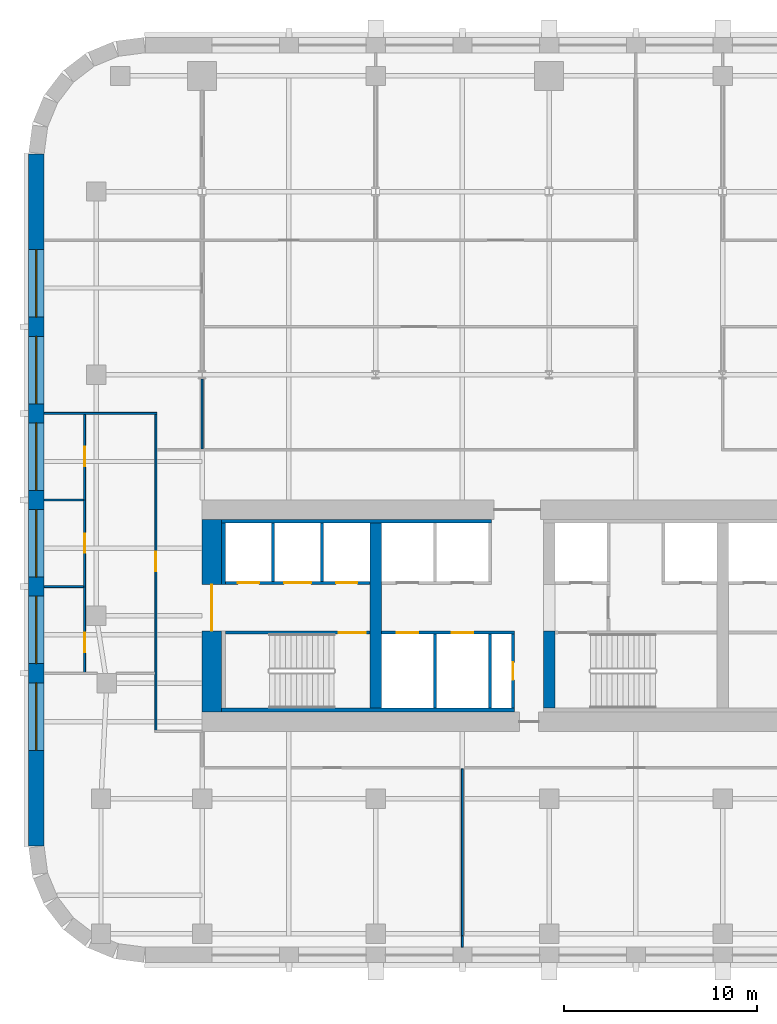
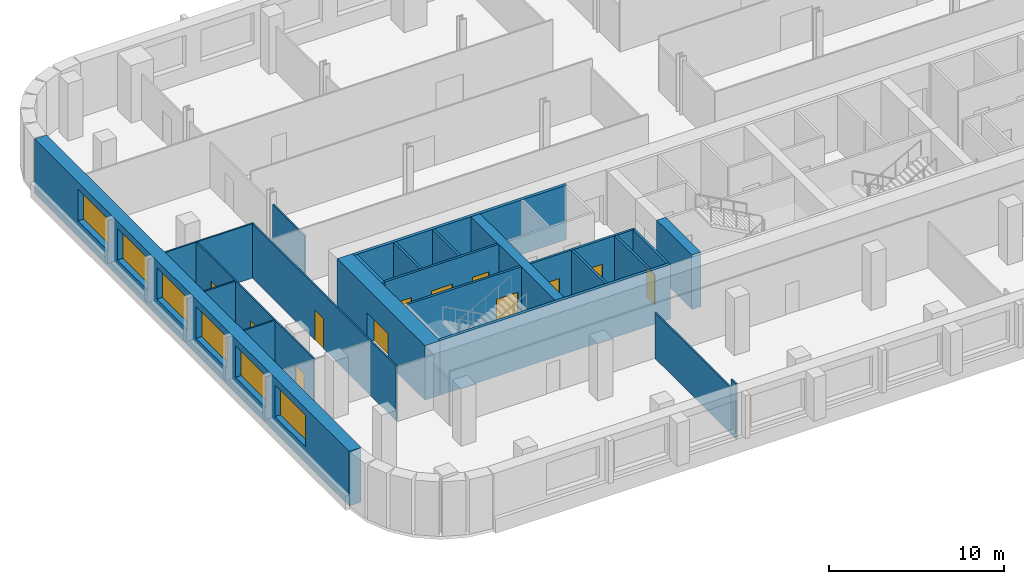
# One storey, part 3 of 10: 23 walls, 12 doors, 6 windows, 18 openings.
"""IFC4 building model written with IfcOpenShell, lengths in metres."""

from ifc_helpers import new_model, si_unit, direction, frame, frame_2d, origin, place, context, subcontext, project, spatial, rectangle, extrude, material, layer, layer_set, type_object, element, fill, save


model = new_model("IFC4")

# Units and contexts
model_context = context("Model", 3, precision=1e-05, world=origin(), true_north=direction((0.0, 1.0)))
body_context = subcontext(model_context, "Body", "Model", "MODEL_VIEW")
ifc_project = project(units=[si_unit("LENGTHUNIT", "METRE"), si_unit("AREAUNIT", "SQUARE_METRE"), si_unit("VOLUMEUNIT", "CUBIC_METRE"), si_unit("PLANEANGLEUNIT", "RADIAN"), si_unit("MASSUNIT", "GRAM", prefix="KILO")], contexts=[model_context])

# Site, building, storey
site_placement = place(None, origin())
site = spatial("IfcSite", under=ifc_project, at=site_placement, CompositionType="ELEMENT")
building_placement = place(site_placement, origin())
building = spatial("IfcBuilding", under=site, at=building_placement, Name="Zellij Exchange Tower", CompositionType="ELEMENT")
storey_placement = place(building_placement, frame((0.0, 0.0, 128.5)))
storey = spatial("IfcBuildingStorey", under=building, at=storey_placement, Name="L28", CompositionType="ELEMENT", Elevation=128.5)

# Walls
ifc_material_1 = material(Name="Concrete C70/85", Category="concrete")
ifc_layer_1 = layer(ifc_material_1, 0.60009765625)
ifc_layer_set_1 = layer_set([ifc_layer_1], Name="Concrete C70/85")
wall_type_1 = type_object("IfcWallType", Name="CORE-CW 600 C70/85", PredefinedType="SHEAR", material=ifc_layer_set_1)
wall_1_placement = place(storey_placement, frame((-18.0, -12.800048828125, 0.0), z_axis=(0.0, 0.0, 1.0), x_axis=(0.0, 1.0, 0.0)))
element("IfcWall", 1, at=wall_1_placement, inside=storey, type_object=wall_type_1, Name="Core cross wall x -18 L28", PredefinedType="SHEAR", context=body_context, shape_type="SweptSolid", body=[
    extrude(rectangle(XDim=9.60009765625, YDim=0.60009765625, at=frame_2d((4.800048828125, 0.0))), origin(), (0.0, 0.0, 1.0), 3.800048828125),
])
wall_2_placement = place(storey_placement, frame((-9.0, -12.800048828125, 0.0), z_axis=(0.0, 0.0, 1.0), x_axis=(0.0, 1.0, 0.0)))
element("IfcWall", 2, at=wall_2_placement, inside=storey, type_object=wall_type_1, Name="Core cross wall pier x -9 a L28", PredefinedType="SHEAR", context=body_context, shape_type="SweptSolid", body=[
    extrude(rectangle(XDim=4.0, YDim=0.60009765625, at=frame_2d((2.0, 0.0))), origin(), (0.0, 0.0, 1.0), 3.800048828125),
])
ifc_material_2 = material(Name="Concrete C30/37", Category="concrete")
ifc_layer_2 = layer(ifc_material_2, 0.199951171875)
ifc_layer_set_2 = layer_set([ifc_layer_2], Name="Concrete C30/37")
wall_type_2 = type_object("IfcWallType", Name="CORE-LW 200 C30/37", PredefinedType="SHEAR", material=ifc_layer_set_2)
wall_3_placement = place(storey_placement, frame((-26.0, -3.10009765625, 0.0), z_axis=(0.0, 0.0, 1.0), x_axis=(1.0, 0.0, 0.0)))
element("IfcWall", 3, at=wall_3_placement, inside=storey, type_object=wall_type_2, Name="Core wall lining front.0 L28", PredefinedType="SHEAR", context=body_context, shape_type="SweptSolid", body=[
    extrude(rectangle(XDim=14.0, YDim=0.199951171875, at=frame_2d((7.0, 0.0))), origin(), (0.0, 0.0, 1.0), 3.800048828125),
])
wall_4_placement = place(storey_placement, frame((-26.0, -12.89990234375, 0.0), z_axis=(0.0, 0.0, 1.0), x_axis=(1.0, 0.0, 0.0)))
element("IfcWall", 4, at=wall_4_placement, inside=storey, type_object=wall_type_2, Name="Core wall lining rear.0 L28", PredefinedType="SHEAR", context=body_context, shape_type="SweptSolid", body=[
    extrude(rectangle(XDim=15.199951171875, YDim=0.199951171875, at=frame_2d((7.60009765625, 0.0))), origin(), (0.0, 0.0, 1.0), 3.800048828125),
])
wall_5_placement = place(storey_placement, frame((-25.89990234375, -6.375, 0.0), z_axis=(0.0, 0.0, 1.0), x_axis=(0.0, 1.0, 0.0)))
element("IfcWall", 5, at=wall_5_placement, inside=storey, type_object=wall_type_2, Name="Core wall lining end w.1 L28", PredefinedType="SHEAR", context=body_context, shape_type="SweptSolid", body=[
    extrude(rectangle(XDim=3.175048828125, YDim=0.199951171875, at=frame_2d((1.58740234375, 0.0))), origin(), (0.0, 0.0, 1.0), 3.800048828125),
])

# Wall, opening, door
ifc_material_3 = material(Name="Gypsum board partition")
ifc_layer_3 = layer(ifc_material_3, 0.14990234375)
ifc_layer_set_3 = layer_set([ifc_layer_3], Name="Gypsum board partition")
wall_type_3 = type_object("IfcWallType", Name="CORE-PW 150 Lift lobby wall", PredefinedType="PARTITIONING", material=ifc_layer_set_3)
wall_6_placement = place(storey_placement, frame((-10.875, -12.800048828125, 0.0), z_axis=(0.0, 0.0, 1.0), x_axis=(0.0, 1.0, 0.0)))
wall_6 = element("IfcWall", 6, at=wall_6_placement, inside=storey, type_object=wall_type_3, Name="Lift lobby wall L28", PredefinedType="PARTITIONING", context=body_context, shape_type="SweptSolid", body=[
    extrude(rectangle(XDim=3.85009765625, YDim=0.14990234375, at=frame_2d((1.925048828125, 0.0))), origin(), (0.0, 0.0, 1.0), 3.800048828125),
])
opening_1_placement = place(wall_6_placement, frame((1.47509765625, 0.0, 0.0)))
opening_1 = element("IfcOpeningElement", 7, at=opening_1_placement, cuts=wall_6, Name="Opening CA-15.10", PredefinedType="OPENING", context=body_context, shape_type="SweptSolid", body=[
    extrude(rectangle(XDim=0.89990234375, YDim=2.10009765625, at=frame_2d((0.449951171875, 1.050048828125))), frame((0.0, 0.0869140625, 0.0), z_axis=(0.0, -1.0, 0.0), x_axis=(1.0, 0.0, 0.0)), (0.0, 0.0, 1.0), 0.173828125),
])
ifc_material_4 = material(Name="Hollow metal fire door")
door_type_1 = type_object("IfcDoorType", Name="CORE-D RD Riser door 900x2100 1.5 HR", OperationType="NOTDEFINED", PredefinedType="DOOR", material=ifc_material_4)
door_1_placement = place(opening_1_placement, origin())
door_1 = element("IfcDoor", 8, at=door_1_placement, inside=storey, type_object=door_type_1, Name="Riser door CA-15.10", OperationType="SINGLE_SWING_RIGHT", OverallHeight=2.10009765625, OverallWidth=0.89990234375, PredefinedType="DOOR", context=body_context, shape_type="SweptSolid", body=[
    extrude(rectangle(XDim=0.89990234375, YDim=2.10009765625, at=frame_2d((0.449951171875, 1.050048828125))), frame((0.0, 0.02490234375, 0.0), z_axis=(0.0, -1.0, 0.0), x_axis=(1.0, 0.0, 0.0)), (0.0, 0.0, 1.0), 0.050048828125),
])
fill(opening_1, door_1)

# Walls
ifc_material_5 = material(Name="Gypsum shaft wall system")
ifc_layer_4 = layer(ifc_material_5, 0.14990234375)
ifc_layer_set_4 = layer_set([ifc_layer_4], Name="Gypsum shaft wall system")
wall_type_4 = type_object("IfcWallType", Name="CORE-PW 150 Lift shaft wall", PredefinedType="PARTITIONING", material=ifc_layer_set_4)
for number, where, z_axis, x_axis, name in (
    (9, (-20.77490234375, -6.22509765625, 0.0), (0.0, 0.0, 1.0), (0.0, 1.0, 0.0), "Lift shaft wall L28"),
    (10, (-23.324951171875, -6.22509765625, 0.0), (0.0, 0.0, 1.0), (0.0, 1.0, 0.0), "Lift shaft wall L28"),
):
    element("IfcWall", number, at=place(storey_placement, frame(where, z_axis=z_axis, x_axis=x_axis)), inside=storey, type_object=wall_type_4, Name=name, PredefinedType="PARTITIONING", context=body_context, shape_type="SweptSolid", body=[
        extrude(rectangle(XDim=3.025146484375, YDim=0.14990234375, at=frame_2d((1.5126953125, 0.0))), origin(), (0.0, 0.0, 1.0), 3.800048828125),
    ])
for number, where, z_axis, x_axis, name in (
    (11, (-12.074951171875, -12.800048828125, 0.0), (0.0, 0.0, 1.0), (0.0, 1.0, 0.0), "Lift shaft wall L28"),
    (12, (-14.925048828125, -12.800048828125, 0.0), (0.0, 0.0, 1.0), (0.0, 1.0, 0.0), "Lift shaft wall L28"),
):
    element("IfcWall", number, at=place(storey_placement, frame(where, z_axis=z_axis, x_axis=x_axis)), inside=storey, type_object=wall_type_4, Name=name, PredefinedType="PARTITIONING", context=body_context, shape_type="SweptSolid", body=[
        extrude(rectangle(XDim=3.85009765625, YDim=0.14990234375, at=frame_2d((1.925048828125, 0.0))), origin(), (0.0, 0.0, 1.0), 3.800048828125),
    ])

# Wall, openings, doors
wall_7_placement = place(storey_placement, frame((-25.800048828125, -6.300048828125, 0.0), z_axis=(0.0, 0.0, 1.0), x_axis=(1.0, 0.0, 0.0)))
wall_7 = element("IfcWall", 13, at=wall_7_placement, inside=storey, type_object=wall_type_4, Name="Lift shaft wall L28", PredefinedType="PARTITIONING", context=body_context, shape_type="SweptSolid", body=[
    extrude(rectangle(XDim=7.5, YDim=0.14990234375, at=frame_2d((3.75, 0.0))), origin(), (0.0, 0.0, 1.0), 3.800048828125),
])
opening_2_placement = place(wall_7_placement, frame((0.64990234375, 0.0, 0.0)))
opening_2 = element("IfcOpeningElement", 14, at=opening_2_placement, cuts=wall_7, Name="Opening CA-15.02", PredefinedType="OPENING", context=body_context, shape_type="SweptSolid", body=[
    extrude(rectangle(XDim=1.10009765625, YDim=2.10009765625, at=frame_2d((0.550048828125, 1.050048828125))), frame((0.0, 0.0869140625, 0.0), z_axis=(0.0, -1.0, 0.0), x_axis=(1.0, 0.0, 0.0)), (0.0, 0.0, 1.0), 0.173828125),
])
opening_3_placement = place(wall_7_placement, frame((3.050048828125, 0.0, 0.0)))
opening_3 = element("IfcOpeningElement", 15, at=opening_3_placement, cuts=wall_7, Name="Opening CA-15.03", PredefinedType="OPENING", context=body_context, shape_type="SweptSolid", body=[
    extrude(rectangle(XDim=1.39990234375, YDim=2.10009765625, at=frame_2d((0.699951171875, 1.050048828125))), frame((0.0, 0.0869140625, 0.0), z_axis=(0.0, -1.0, 0.0), x_axis=(1.0, 0.0, 0.0)), (0.0, 0.0, 1.0), 0.173828125),
])
opening_4_placement = place(wall_7_placement, frame((5.75, 0.0, 0.0)))
opening_4 = element("IfcOpeningElement", 16, at=opening_4_placement, cuts=wall_7, Name="Opening CA-15.04", PredefinedType="OPENING", context=body_context, shape_type="SweptSolid", body=[
    extrude(rectangle(XDim=1.10009765625, YDim=2.10009765625, at=frame_2d((0.550048828125, 1.050048828125))), frame((0.0, 0.0869140625, 0.0), z_axis=(0.0, -1.0, 0.0), x_axis=(1.0, 0.0, 0.0)), (0.0, 0.0, 1.0), 0.173828125),
])
door_type_2 = type_object("IfcDoorType", Name="CORE-D LD Lift landing door 1100x2100 1.5 HR", OperationType="NOTDEFINED", PredefinedType="DOOR", material=ifc_material_4)
door_2_placement = place(opening_2_placement, origin())
door_2 = element("IfcDoor", 17, at=door_2_placement, inside=storey, type_object=door_type_2, Name="Lift landing door CA-15.02", OperationType="SLIDING_TO_RIGHT", OverallHeight=2.10009765625, OverallWidth=1.10009765625, PredefinedType="DOOR", context=body_context, shape_type="SweptSolid", body=[
    extrude(rectangle(XDim=1.10009765625, YDim=2.10009765625, at=frame_2d((0.550048828125, 1.050048828125))), frame((0.0, 0.02490234375, 0.0), z_axis=(0.0, -1.0, 0.0), x_axis=(1.0, 0.0, 0.0)), (0.0, 0.0, 1.0), 0.050048828125),
])
fill(opening_2, door_2)
door_3_placement = place(opening_4_placement, origin())
door_3 = element("IfcDoor", 18, at=door_3_placement, inside=storey, type_object=door_type_2, Name="Lift landing door CA-15.04", OperationType="SLIDING_TO_RIGHT", OverallHeight=2.10009765625, OverallWidth=1.10009765625, PredefinedType="DOOR", context=body_context, shape_type="SweptSolid", body=[
    extrude(rectangle(XDim=1.10009765625, YDim=2.10009765625, at=frame_2d((0.550048828125, 1.050048828125))), frame((0.0, 0.02490234375, 0.0), z_axis=(0.0, -1.0, 0.0), x_axis=(1.0, 0.0, 0.0)), (0.0, 0.0, 1.0), 0.050048828125),
])
fill(opening_4, door_3)
door_type_3 = type_object("IfcDoorType", Name="CORE-D LD2 Service lift landing door 1400x2100 1.5 HR", OperationType="NOTDEFINED", PredefinedType="DOOR", material=ifc_material_4)
door_4_placement = place(opening_3_placement, origin())
door_4 = element("IfcDoor", 19, at=door_4_placement, inside=storey, type_object=door_type_3, Name="Service lift landing door CA-15.03", OperationType="SLIDING_TO_LEFT", OverallHeight=2.10009765625, OverallWidth=1.39990234375, PredefinedType="DOOR", context=body_context, shape_type="SweptSolid", body=[
    extrude(rectangle(XDim=1.39990234375, YDim=2.10009765625, at=frame_2d((0.699951171875, 1.050048828125))), frame((0.0, 0.02490234375, 0.0), z_axis=(0.0, -1.0, 0.0), x_axis=(1.0, 0.0, 0.0)), (0.0, 0.0, 1.0), 0.050048828125),
])
fill(opening_3, door_4)

wall_8_placement = place(storey_placement, frame((-17.699951171875, -8.875, 0.0), z_axis=(0.0, 0.0, 1.0), x_axis=(1.0, 0.0, 0.0)))
wall_8 = element("IfcWall", 20, at=wall_8_placement, inside=storey, type_object=wall_type_4, Name="Lift shaft wall L28", PredefinedType="PARTITIONING", context=body_context, shape_type="SweptSolid", body=[
    extrude(rectangle(XDim=6.89990234375, YDim=0.14990234375, at=frame_2d((3.449951171875, 0.0))), origin(), (0.0, 0.0, 1.0), 3.800048828125),
])
opening_5_placement = place(wall_8_placement, frame((0.800048828125, 0.0, 0.0)))
opening_5 = element("IfcOpeningElement", 21, at=opening_5_placement, cuts=wall_8, Name="Opening CA-15.06", PredefinedType="OPENING", context=body_context, shape_type="SweptSolid", body=[
    extrude(rectangle(XDim=1.10009765625, YDim=2.10009765625, at=frame_2d((0.550048828125, 1.050048828125))), frame((0.0, 0.0869140625, 0.0), z_axis=(0.0, -1.0, 0.0), x_axis=(1.0, 0.0, 0.0)), (0.0, 0.0, 1.0), 0.173828125),
])
opening_6_placement = place(wall_8_placement, frame((3.64990234375, 0.0, 0.0)))
opening_6 = element("IfcOpeningElement", 22, at=opening_6_placement, cuts=wall_8, Name="Opening CA-15.08", PredefinedType="OPENING", context=body_context, shape_type="SweptSolid", body=[
    extrude(rectangle(XDim=1.10009765625, YDim=2.10009765625, at=frame_2d((0.550048828125, 1.050048828125))), frame((0.0, 0.0869140625, 0.0), z_axis=(0.0, -1.0, 0.0), x_axis=(1.0, 0.0, 0.0)), (0.0, 0.0, 1.0), 0.173828125),
])
door_5_placement = place(opening_5_placement, origin())
door_5 = element("IfcDoor", 23, at=door_5_placement, inside=storey, type_object=door_type_2, Name="Lift landing door CA-15.06", OperationType="SLIDING_TO_RIGHT", OverallHeight=2.10009765625, OverallWidth=1.10009765625, PredefinedType="DOOR", context=body_context, shape_type="SweptSolid", body=[
    extrude(rectangle(XDim=1.10009765625, YDim=2.10009765625, at=frame_2d((0.550048828125, 1.050048828125))), frame((0.0, 0.02490234375, 0.0), z_axis=(0.0, -1.0, 0.0), x_axis=(1.0, 0.0, 0.0)), (0.0, 0.0, 1.0), 0.050048828125),
])
fill(opening_5, door_5)
door_6_placement = place(opening_6_placement, origin())
door_6 = element("IfcDoor", 24, at=door_6_placement, inside=storey, type_object=door_type_2, Name="Lift landing door CA-15.08", OperationType="SLIDING_TO_RIGHT", OverallHeight=2.10009765625, OverallWidth=1.10009765625, PredefinedType="DOOR", context=body_context, shape_type="SweptSolid", body=[
    extrude(rectangle(XDim=1.10009765625, YDim=2.10009765625, at=frame_2d((0.550048828125, 1.050048828125))), frame((0.0, 0.02490234375, 0.0), z_axis=(0.0, -1.0, 0.0), x_axis=(1.0, 0.0, 0.0)), (0.0, 0.0, 1.0), 0.050048828125),
])
fill(opening_6, door_6)

# Wall, opening, door
ifc_layer_5 = layer(ifc_material_1, 1.0)
ifc_layer_set_5 = layer_set([ifc_layer_5], Name="Concrete C70/85")
wall_type_5 = type_object("IfcWallType", Name="CORE-SW 1000 C70/85", PredefinedType="SHEAR", material=ifc_layer_set_5)
wall_9_placement = place(storey_placement, frame((-26.5, -13.0, 0.0), z_axis=(0.0, 0.0, 1.0), x_axis=(0.0, 1.0, 0.0)))
wall_9 = element("IfcWall", 25, at=wall_9_placement, inside=storey, type_object=wall_type_5, Name="Core shear wall end w L28", PredefinedType="SHEAR", context=body_context, shape_type="SweptSolid", body=[
    extrude(rectangle(XDim=10.0, YDim=1.0, at=frame_2d((5.0, 0.0))), origin(), (0.0, 0.0, 1.0), 3.800048828125),
])
opening_7_placement = place(wall_9_placement, frame((4.2119140625, 0.0, 0.0)))
opening_7 = element("IfcOpeningElement", 26, at=opening_7_placement, cuts=wall_9, Name="Opening CA-15.01", PredefinedType="OPENING", context=body_context, shape_type="SweptSolid", body=[
    extrude(rectangle(XDim=2.39990234375, YDim=2.10009765625, at=frame_2d((1.199951171875, 1.050048828125))), frame((0.0, 0.511962890625, 0.0), z_axis=(0.0, -1.0, 0.0), x_axis=(1.0, 0.0, 0.0)), (0.0, 0.0, 1.0), 1.02392578125),
])
door_type_4 = type_object("IfcDoorType", Name="CORE-D CE Core entrance door 2400x2100 20 MIN", OperationType="NOTDEFINED", PredefinedType="DOOR", material=ifc_material_4)
door_7_placement = place(opening_7_placement, origin())
door_7 = element("IfcDoor", 27, at=door_7_placement, inside=storey, type_object=door_type_4, Name="Core entrance door CA-15.01", OperationType="DOUBLE_DOOR_SINGLE_SWING", OverallHeight=2.10009765625, OverallWidth=2.39990234375, PredefinedType="DOOR", context=body_context, shape_type="SweptSolid", body=[
    extrude(rectangle(XDim=2.39990234375, YDim=2.10009765625, at=frame_2d((1.199951171875, 1.050048828125))), frame((0.0, 0.02490234375, 0.0), z_axis=(0.0, -1.0, 0.0), x_axis=(1.0, 0.0, 0.0)), (0.0, 0.0, 1.0), 0.050048828125),
])
fill(opening_7, door_7)

ifc_layer_6 = layer(ifc_material_1, 0.14990234375)
ifc_layer_set_6 = layer_set([ifc_layer_6], Name="Concrete C70/85")
wall_type_6 = type_object("IfcWallType", Name="CORE-SWS 150 C70/85", PredefinedType="SHEAR", material=ifc_layer_set_6)
wall_10_placement = place(storey_placement, frame((-25.800048828125, -8.875, 0.0), z_axis=(0.0, 0.0, 1.0), x_axis=(1.0, 0.0, 0.0)))
wall_10 = element("IfcWall", 28, at=wall_10_placement, inside=storey, type_object=wall_type_6, Name="Stair enclosure wall L28", PredefinedType="SHEAR", context=body_context, shape_type="SweptSolid", body=[
    extrude(rectangle(XDim=7.5, YDim=0.14990234375, at=frame_2d((3.75, 0.0))), origin(), (0.0, 0.0, 1.0), 3.800048828125),
])
opening_8_placement = place(wall_10_placement, frame((5.875, 0.0, 0.0)))
opening_8 = element("IfcOpeningElement", 29, at=opening_8_placement, cuts=wall_10, Name="Opening CA-15.05", PredefinedType="OPENING", context=body_context, shape_type="SweptSolid", body=[
    extrude(rectangle(XDim=1.39990234375, YDim=2.10009765625, at=frame_2d((0.699951171875, 1.050048828125))), frame((0.0, 0.0869140625, 0.0), z_axis=(0.0, -1.0, 0.0), x_axis=(1.0, 0.0, 0.0)), (0.0, 0.0, 1.0), 0.173828125),
])
door_type_5 = type_object("IfcDoorType", Name="CORE-D SD Stair door 1400x2100 1.5 HR", OperationType="NOTDEFINED", PredefinedType="DOOR", material=ifc_material_4)
door_8_placement = place(opening_8_placement, origin())
door_8 = element("IfcDoor", 30, at=door_8_placement, inside=storey, type_object=door_type_5, Name="Stair door CA-15.05", OperationType="DOUBLE_DOOR_SINGLE_SWING", OverallHeight=2.10009765625, OverallWidth=1.39990234375, PredefinedType="DOOR", context=body_context, shape_type="SweptSolid", body=[
    extrude(rectangle(XDim=1.39990234375, YDim=2.10009765625, at=frame_2d((0.699951171875, 1.050048828125))), frame((0.0, 0.02490234375, 0.0), z_axis=(0.0, -1.0, 0.0), x_axis=(1.0, 0.0, 0.0)), (0.0, 0.0, 1.0), 0.050048828125),
])
fill(opening_8, door_8)

# Wall, openings, windows
ifc_material_6 = material(Name="Precast concrete C40/50", Category="concrete")
ifc_layer_7 = layer(ifc_material_6, 0.800048828125)
ifc_layer_set_7 = layer_set([ifc_layer_7], Name="Precast concrete C40/50")
wall_type_7 = type_object("IfcWallType", Name="ENV-EW1 Precast stone-piered wall 800", PredefinedType="SOLIDWALL", material=ifc_layer_set_7)
wall_11_placement = place(storey_placement, frame((-35.60009765625, 15.947509765625, 0.0), z_axis=(0.0, 0.0, 1.0), x_axis=(0.0, -1.0, 0.0)))
wall_11 = element("IfcWall", 31, at=wall_11_placement, inside=storey, type_object=wall_type_7, Name="fac.L28.26", PredefinedType="SOLIDWALL", context=body_context, shape_type="SweptSolid", body=[
    extrude(rectangle(XDim=35.89501953125, YDim=0.800048828125, at=frame_2d((17.947509765625, 0.0))), origin(), (0.0, 0.0, 1.0), 3.800048828125),
])
opening_9_placement = place(wall_11_placement, frame((4.9638671875, 0.0, 1.10009765625)))
opening_9 = element("IfcOpeningElement", 32, at=opening_9_placement, cuts=wall_11, Name="Opening FZ2.31", PredefinedType="OPENING", context=body_context, shape_type="SweptSolid", body=[
    extrude(rectangle(XDim=3.5, YDim=2.199951171875, at=frame_2d((1.75, 1.10009765625))), frame((0.0, 0.412109375, 0.0), z_axis=(0.0, -1.0, 0.0), x_axis=(1.0, 0.0, 0.0)), (0.0, 0.0, 1.0), 0.823974609375),
])
opening_10_placement = place(wall_11_placement, frame((9.45751953125, 0.0, 1.10009765625)))
opening_10 = element("IfcOpeningElement", 33, at=opening_10_placement, cuts=wall_11, Name="Opening FZ2.32", PredefinedType="OPENING", context=body_context, shape_type="SweptSolid", body=[
    extrude(rectangle(XDim=3.5, YDim=2.199951171875, at=frame_2d((1.75, 1.10009765625))), frame((0.0, 0.412109375, 0.0), z_axis=(0.0, -1.0, 0.0), x_axis=(1.0, 0.0, 0.0)), (0.0, 0.0, 1.0), 0.823974609375),
])
opening_11_placement = place(wall_11_placement, frame((13.950927734375, 0.0, 1.10009765625)))
opening_11 = element("IfcOpeningElement", 34, at=opening_11_placement, cuts=wall_11, Name="Opening FZ2.33", PredefinedType="OPENING", context=body_context, shape_type="SweptSolid", body=[
    extrude(rectangle(XDim=3.5, YDim=2.199951171875, at=frame_2d((1.75, 1.10009765625))), frame((0.0, 0.412109375, 0.0), z_axis=(0.0, -1.0, 0.0), x_axis=(1.0, 0.0, 0.0)), (0.0, 0.0, 1.0), 0.823974609375),
])
opening_12_placement = place(wall_11_placement, frame((18.4443359375, 0.0, 1.10009765625)))
opening_12 = element("IfcOpeningElement", 35, at=opening_12_placement, cuts=wall_11, Name="Opening FZ2.34", PredefinedType="OPENING", context=body_context, shape_type="SweptSolid", body=[
    extrude(rectangle(XDim=3.5, YDim=2.199951171875, at=frame_2d((1.75, 1.10009765625))), frame((0.0, 0.412109375, 0.0), z_axis=(0.0, -1.0, 0.0), x_axis=(1.0, 0.0, 0.0)), (0.0, 0.0, 1.0), 0.823974609375),
])
opening_13_placement = place(wall_11_placement, frame((22.937744140625, 0.0, 1.10009765625)))
opening_13 = element("IfcOpeningElement", 36, at=opening_13_placement, cuts=wall_11, Name="Opening FZ2.35", PredefinedType="OPENING", context=body_context, shape_type="SweptSolid", body=[
    extrude(rectangle(XDim=3.5, YDim=2.199951171875, at=frame_2d((1.75, 1.10009765625))), frame((0.0, 0.412109375, 0.0), z_axis=(0.0, -1.0, 0.0), x_axis=(1.0, 0.0, 0.0)), (0.0, 0.0, 1.0), 0.823974609375),
])
opening_14_placement = place(wall_11_placement, frame((27.43115234375, 0.0, 1.10009765625)))
opening_14 = element("IfcOpeningElement", 37, at=opening_14_placement, cuts=wall_11, Name="Opening FZ2.36", PredefinedType="OPENING", context=body_context, shape_type="SweptSolid", body=[
    extrude(rectangle(XDim=3.5, YDim=2.199951171875, at=frame_2d((1.75, 1.10009765625))), frame((0.0, 0.412109375, 0.0), z_axis=(0.0, -1.0, 0.0), x_axis=(1.0, 0.0, 0.0)), (0.0, 0.0, 1.0), 0.823974609375),
])
ifc_material_7 = material(Name="Aluminium frame with insulating glass", Category="aluminium")
window_type = type_object("IfcWindowType", Name="ENV-W7 Window 3500x2200", PartitioningType="SINGLE_PANEL", PredefinedType="WINDOW", material=ifc_material_7)
window_1_placement = place(opening_9_placement, origin())
window_1 = element("IfcWindow", 38, at=window_1_placement, inside=storey, type_object=window_type, Name="Window FZ2.31", OverallHeight=2.199951171875, OverallWidth=3.5, PartitioningType="SINGLE_PANEL", PredefinedType="WINDOW", context=body_context, shape_type="SweptSolid", body=[
    extrude(rectangle(XDim=3.5, YDim=2.199951171875, at=frame_2d((1.75, 1.10009765625))), frame((0.0, 0.030029296875, 0.0), z_axis=(0.0, -1.0, 0.0), x_axis=(1.0, 0.0, 0.0)), (0.0, 0.0, 1.0), 0.06005859375),
])
fill(opening_9, window_1)
window_2_placement = place(opening_10_placement, origin())
window_2 = element("IfcWindow", 39, at=window_2_placement, inside=storey, type_object=window_type, Name="Window FZ2.32", OverallHeight=2.199951171875, OverallWidth=3.5, PartitioningType="SINGLE_PANEL", PredefinedType="WINDOW", context=body_context, shape_type="SweptSolid", body=[
    extrude(rectangle(XDim=3.5, YDim=2.199951171875, at=frame_2d((1.75, 1.10009765625))), frame((0.0, 0.030029296875, 0.0), z_axis=(0.0, -1.0, 0.0), x_axis=(1.0, 0.0, 0.0)), (0.0, 0.0, 1.0), 0.06005859375),
])
fill(opening_10, window_2)
window_3_placement = place(opening_11_placement, origin())
window_3 = element("IfcWindow", 40, at=window_3_placement, inside=storey, type_object=window_type, Name="Window FZ2.33", OverallHeight=2.199951171875, OverallWidth=3.5, PartitioningType="SINGLE_PANEL", PredefinedType="WINDOW", context=body_context, shape_type="SweptSolid", body=[
    extrude(rectangle(XDim=3.5, YDim=2.199951171875, at=frame_2d((1.75, 1.10009765625))), frame((0.0, 0.030029296875, 0.0), z_axis=(0.0, -1.0, 0.0), x_axis=(1.0, 0.0, 0.0)), (0.0, 0.0, 1.0), 0.06005859375),
])
fill(opening_11, window_3)
window_4_placement = place(opening_12_placement, origin())
window_4 = element("IfcWindow", 41, at=window_4_placement, inside=storey, type_object=window_type, Name="Window FZ2.34", OverallHeight=2.199951171875, OverallWidth=3.5, PartitioningType="SINGLE_PANEL", PredefinedType="WINDOW", context=body_context, shape_type="SweptSolid", body=[
    extrude(rectangle(XDim=3.5, YDim=2.199951171875, at=frame_2d((1.75, 1.10009765625))), frame((0.0, 0.030029296875, 0.0), z_axis=(0.0, -1.0, 0.0), x_axis=(1.0, 0.0, 0.0)), (0.0, 0.0, 1.0), 0.06005859375),
])
fill(opening_12, window_4)
window_5_placement = place(opening_13_placement, origin())
window_5 = element("IfcWindow", 42, at=window_5_placement, inside=storey, type_object=window_type, Name="Window FZ2.35", OverallHeight=2.199951171875, OverallWidth=3.5, PartitioningType="SINGLE_PANEL", PredefinedType="WINDOW", context=body_context, shape_type="SweptSolid", body=[
    extrude(rectangle(XDim=3.5, YDim=2.199951171875, at=frame_2d((1.75, 1.10009765625))), frame((0.0, 0.030029296875, 0.0), z_axis=(0.0, -1.0, 0.0), x_axis=(1.0, 0.0, 0.0)), (0.0, 0.0, 1.0), 0.06005859375),
])
fill(opening_13, window_5)
window_6_placement = place(opening_14_placement, origin())
window_6 = element("IfcWindow", 43, at=window_6_placement, inside=storey, type_object=window_type, Name="Window FZ2.36", OverallHeight=2.199951171875, OverallWidth=3.5, PartitioningType="SINGLE_PANEL", PredefinedType="WINDOW", context=body_context, shape_type="SweptSolid", body=[
    extrude(rectangle(XDim=3.5, YDim=2.199951171875, at=frame_2d((1.75, 1.10009765625))), frame((0.0, 0.030029296875, 0.0), z_axis=(0.0, -1.0, 0.0), x_axis=(1.0, 0.0, 0.0)), (0.0, 0.0, 1.0), 0.06005859375),
])
fill(opening_14, window_6)

# Walls
ifc_material_8 = material(Name="Gypsum board partition on steel studs", Category="steel")
ifc_layer_8 = layer(ifc_material_8, 0.10009765625)
ifc_layer_set_8 = layer_set([ifc_layer_8], Name="Gypsum board partition on steel studs")
wall_type_8 = type_object("IfcWallType", Name="FIT-PARTITION-100", PredefinedType="PARTITIONING", material=ifc_layer_set_8)
wall_12_placement = place(storey_placement, frame((-13.5, -25.199951171875, 0.0), z_axis=(0.0, 0.0, 1.0), x_axis=(0.0, 1.0, 0.0)))
element("IfcWall", 44, at=wall_12_placement, inside=storey, type_object=wall_type_8, Name="FIT-PARTITION-100 001", PredefinedType="PARTITIONING", context=body_context, shape_type="SweptSolid", body=[
    extrude(rectangle(XDim=0.58544921875, YDim=0.10009765625, at=frame_2d((0.292724609375, 0.0))), origin(), (0.0, 0.0, 1.0), 3.800048828125),
])
wall_13_placement = place(storey_placement, frame((-13.5, -24.614501953125, 0.0), z_axis=(0.0, 0.0, 1.0), x_axis=(0.0, 1.0, 0.0)))
element("IfcWall", 45, at=wall_13_placement, inside=storey, type_object=wall_type_8, Name="FIT-PARTITION-100 002", PredefinedType="PARTITIONING", context=body_context, shape_type="SweptSolid", body=[
    extrude(rectangle(XDim=8.66455078125, YDim=0.10009765625, at=frame_2d((4.332275390625, 0.0))), origin(), (0.0, 0.0, 1.0), 3.197998046875),
])

# Wall, opening, door
wall_14_placement = place(storey_placement, frame((-29.39990234375, -13.949951171875, 0.0), z_axis=(0.0, 0.0, 1.0), x_axis=(0.0, 1.0, 0.0)))
wall_14 = element("IfcWall", 46, at=wall_14_placement, inside=storey, type_object=wall_type_8, Name="FIT-PARTITION-100 011", PredefinedType="PARTITIONING", context=body_context, shape_type="SweptSolid", body=[
    extrude(rectangle(XDim=16.389892578125, YDim=0.10009765625, at=frame_2d((8.19482421875, 0.0))), origin(), (0.0, 0.0, 1.0), 3.800048828125),
])
opening_15_placement = place(wall_14_placement, frame((8.260009765625, 0.0, 0.0)))
opening_15 = element("IfcOpeningElement", 47, at=opening_15_placement, cuts=wall_14, Name="Opening TF.07", PredefinedType="OPENING", context=body_context, shape_type="SweptSolid", body=[
    extrude(rectangle(XDim=1.0, YDim=2.10009765625, at=frame_2d((0.5, 1.050048828125))), frame((0.0, 0.06201171875, 0.0), z_axis=(0.0, -1.0, 0.0), x_axis=(1.0, 0.0, 0.0)), (0.0, 0.0, 1.0), 0.1240234375),
])
ifc_material_9 = material(Name="Timber door set", Category="wood")
door_type_6 = type_object("IfcDoorType", Name="FIT-D2-WIDE-1000X2100", OperationType="SINGLE_SWING_LEFT", PredefinedType="DOOR", material=ifc_material_9)
door_9_placement = place(opening_15_placement, origin())
door_9 = element("IfcDoor", 48, at=door_9_placement, inside=storey, type_object=door_type_6, Name="Door TF.07", OperationType="SINGLE_SWING_RIGHT", OverallHeight=2.10009765625, OverallWidth=1.0, PredefinedType="DOOR", context=body_context, shape_type="SweptSolid", body=[
    extrude(rectangle(XDim=1.0, YDim=2.10009765625, at=frame_2d((0.5, 1.050048828125))), frame((0.0, 0.02490234375, 0.0), z_axis=(0.0, -1.0, 0.0), x_axis=(1.0, 0.0, 0.0)), (0.0, 0.0, 1.0), 0.050048828125),
])
fill(opening_15, door_9)

# Wall, openings, doors
wall_15_placement = place(storey_placement, frame((-33.10009765625, -10.93994140625, 0.0), z_axis=(0.0, 0.0, 1.0), x_axis=(0.0, 1.0, 0.0)))
wall_15 = element("IfcWall", 49, at=wall_15_placement, inside=storey, type_object=wall_type_8, Name="FIT-PARTITION-100 016", PredefinedType="PARTITIONING", context=body_context, shape_type="SweptSolid", body=[
    extrude(rectangle(XDim=13.3798828125, YDim=0.10009765625, at=frame_2d((6.68994140625, 0.0))), origin(), (0.0, 0.0, 1.0), 3.800048828125),
])
opening_16_placement = place(wall_15_placement, frame((1.050048828125, 0.0, 0.0)))
opening_16 = element("IfcOpeningElement", 50, at=opening_16_placement, cuts=wall_15, Name="Opening TF.05", PredefinedType="OPENING", context=body_context, shape_type="SweptSolid", body=[
    extrude(rectangle(XDim=1.0, YDim=2.10009765625, at=frame_2d((0.5, 1.050048828125))), frame((0.0, 0.06201171875, 0.0), z_axis=(0.0, -1.0, 0.0), x_axis=(1.0, 0.0, 0.0)), (0.0, 0.0, 1.0), 0.1240234375),
])
opening_17_placement = place(wall_15_placement, frame((6.199951171875, 0.0, 0.0)))
opening_17 = element("IfcOpeningElement", 51, at=opening_17_placement, cuts=wall_15, Name="Opening TF.08", PredefinedType="OPENING", context=body_context, shape_type="SweptSolid", body=[
    extrude(rectangle(XDim=1.0, YDim=2.10009765625, at=frame_2d((0.5, 1.050048828125))), frame((0.0, 0.06201171875, 0.0), z_axis=(0.0, -1.0, 0.0), x_axis=(1.0, 0.0, 0.0)), (0.0, 0.0, 1.0), 0.1240234375),
])
opening_18_placement = place(wall_15_placement, frame((10.68994140625, 0.0, 0.0)))
opening_18 = element("IfcOpeningElement", 52, at=opening_18_placement, cuts=wall_15, Name="Opening TF.09", PredefinedType="OPENING", context=body_context, shape_type="SweptSolid", body=[
    extrude(rectangle(XDim=1.0, YDim=2.10009765625, at=frame_2d((0.5, 1.050048828125))), frame((0.0, 0.06201171875, 0.0), z_axis=(0.0, -1.0, 0.0), x_axis=(1.0, 0.0, 0.0)), (0.0, 0.0, 1.0), 0.1240234375),
])
door_10_placement = place(opening_16_placement, origin())
door_10 = element("IfcDoor", 53, at=door_10_placement, inside=storey, type_object=door_type_6, Name="Door TF.05", OperationType="SINGLE_SWING_RIGHT", OverallHeight=2.10009765625, OverallWidth=1.0, PredefinedType="DOOR", context=body_context, shape_type="SweptSolid", body=[
    extrude(rectangle(XDim=1.0, YDim=2.10009765625, at=frame_2d((0.5, 1.050048828125))), frame((0.0, 0.02490234375, 0.0), z_axis=(0.0, -1.0, 0.0), x_axis=(1.0, 0.0, 0.0)), (0.0, 0.0, 1.0), 0.050048828125),
])
fill(opening_16, door_10)
door_11_placement = place(opening_17_placement, origin())
door_11 = element("IfcDoor", 54, at=door_11_placement, inside=storey, type_object=door_type_6, Name="Door TF.08", OperationType="SINGLE_SWING_LEFT", OverallHeight=2.10009765625, OverallWidth=1.0, PredefinedType="DOOR", context=body_context, shape_type="SweptSolid", body=[
    extrude(rectangle(XDim=1.0, YDim=2.10009765625, at=frame_2d((0.5, 1.050048828125))), frame((0.0, 0.02490234375, 0.0), z_axis=(0.0, -1.0, 0.0), x_axis=(1.0, 0.0, 0.0)), (0.0, 0.0, 1.0), 0.050048828125),
])
fill(opening_17, door_11)
door_12_placement = place(opening_18_placement, origin())
door_12 = element("IfcDoor", 55, at=door_12_placement, inside=storey, type_object=door_type_6, Name="Door TF.09", OperationType="SINGLE_SWING_LEFT", OverallHeight=2.10009765625, OverallWidth=1.0, PredefinedType="DOOR", context=body_context, shape_type="SweptSolid", body=[
    extrude(rectangle(XDim=1.0, YDim=2.10009765625, at=frame_2d((0.5, 1.050048828125))), frame((0.0, 0.02490234375, 0.0), z_axis=(0.0, -1.0, 0.0), x_axis=(1.0, 0.0, 0.0)), (0.0, 0.0, 1.0), 0.050048828125),
])
fill(opening_18, door_12)

# Walls
for number, where, z_axis, x_axis, name in (
    (56, (-35.199951171875, -6.489990234375, 0.0), (0.0, 0.0, 1.0), (1.0, 0.0, 0.0), "FIT-PARTITION-100 018"),
    (57, (-35.199951171875, -2.0, 0.0), (0.0, 0.0, 1.0), (1.0, 0.0, 0.0), "FIT-PARTITION-100 021"),
):
    element("IfcWall", number, at=place(storey_placement, frame(where, z_axis=z_axis, x_axis=x_axis)), inside=storey, type_object=wall_type_8, Name=name, PredefinedType="PARTITIONING", context=body_context, shape_type="SweptSolid", body=[
        extrude(rectangle(XDim=2.050048828125, YDim=0.10009765625, at=frame_2d((1.02490234375, 0.0))), origin(), (0.0, 0.0, 1.0), 3.800048828125),
    ])
wall_16_placement = place(storey_placement, frame((-27.0, 0.64990234375, 0.0), z_axis=(0.0, 0.0, 1.0), x_axis=(0.0, 1.0, 0.0)))
element("IfcWall", 58, at=wall_16_placement, inside=storey, type_object=wall_type_8, Name="FIT-PARTITION-100 024", PredefinedType="PARTITIONING", context=body_context, shape_type="SweptSolid", body=[
    extrude(rectangle(XDim=3.622802734375, YDim=0.10009765625, at=frame_2d((1.8115234375, 0.0))), origin(), (0.0, 0.0, 1.0), 3.18798828125),
])
wall_17_placement = place(storey_placement, frame((-35.199951171875, 2.489990234375, 0.0), z_axis=(0.0, 0.0, 1.0), x_axis=(1.0, 0.0, 0.0)))
element("IfcWall", 59, at=wall_17_placement, inside=storey, type_object=wall_type_8, Name="FIT-PARTITION-100 033", PredefinedType="PARTITIONING", context=body_context, shape_type="SweptSolid", body=[
    extrude(rectangle(XDim=5.849853515625, YDim=0.10009765625, at=frame_2d((2.9248046875, 0.0))), origin(), (0.0, 0.0, 1.0), 3.800048828125),
])

save(model, "model.ifc")
